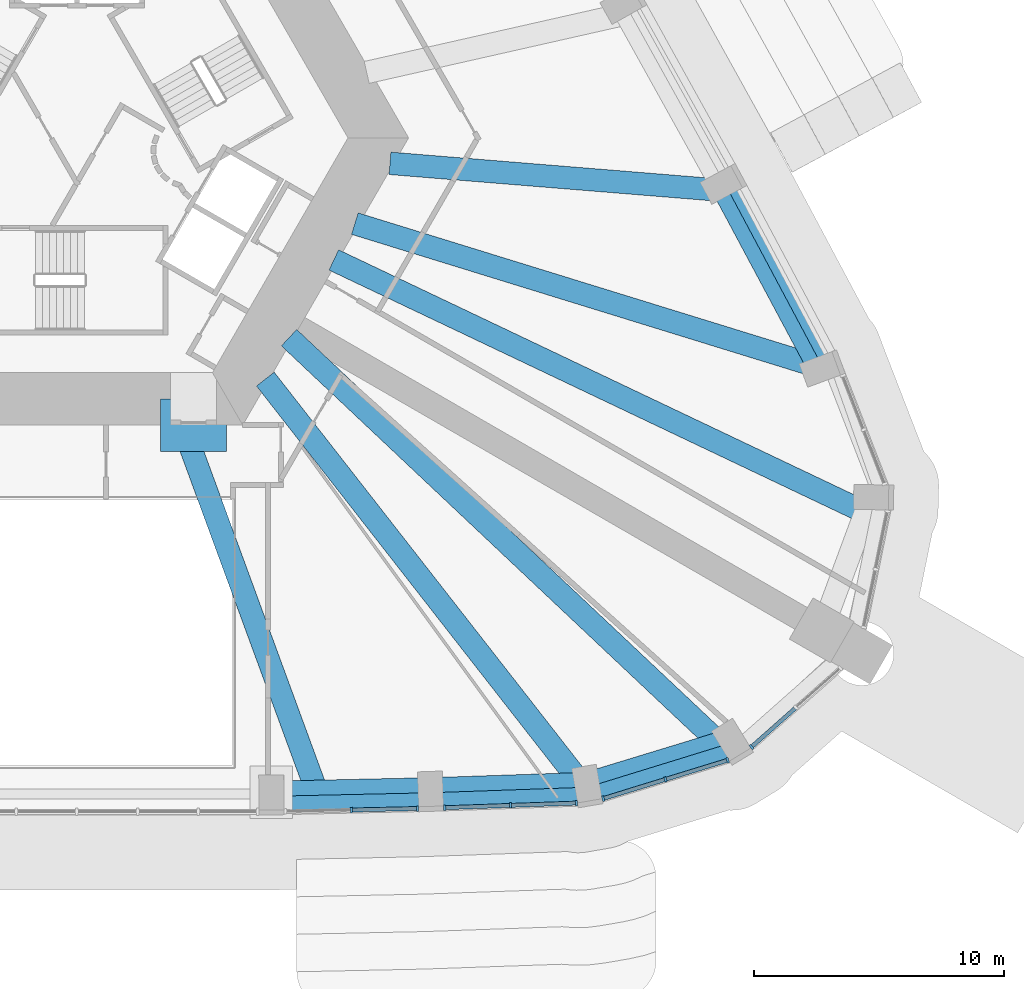
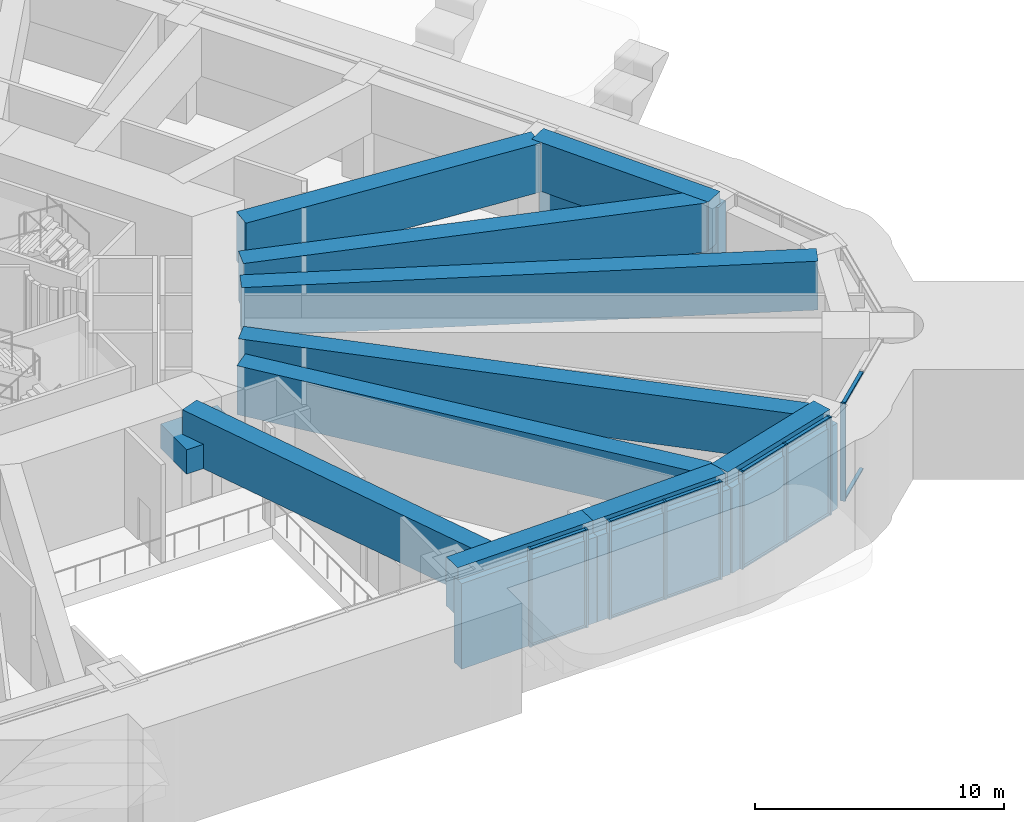
# One storey, part 4 of 21: 25 members, 11 beams, 4 elements without a shape of their own.
"""IFC4 building model written with IfcOpenShell, lengths in metres."""

from ifc_helpers import new_model, si_unit, direction, frame, origin, origin_2d, place, context, subcontext, project, spatial, rectangle, extrude, material, material_profile, profile_set, type_object, element, aggregate, save


model = new_model("IFC4")

# Units and contexts
model_context = context("Model", 3, precision=1e-05, world=origin(), true_north=direction((0.0, 1.0)))
body_context = subcontext(model_context, "Body", "Model", "MODEL_VIEW")
ifc_project = project(units=[si_unit("LENGTHUNIT", "METRE"), si_unit("AREAUNIT", "SQUARE_METRE"), si_unit("VOLUMEUNIT", "CUBIC_METRE"), si_unit("PLANEANGLEUNIT", "RADIAN"), si_unit("MASSUNIT", "GRAM", prefix="KILO")], contexts=[model_context])

# Site, building, storey
site_placement = place(None, origin())
site = spatial("IfcSite", under=ifc_project, at=site_placement, CompositionType="ELEMENT")
building_placement = place(site_placement, origin())
building = spatial("IfcBuilding", under=site, at=building_placement, Name="Entoto Arch Interchange Tower", CompositionType="ELEMENT")
storey_placement = place(building_placement, frame((0.0, 0.0, 236.0)))
storey = spatial("IfcBuildingStorey", under=building, at=storey_placement, Name="L53", CompositionType="ELEMENT", Elevation=236.0)

# Members
ifc_material_1 = material(Name="Concrete C50/60", Category="concrete")
ifc_material_profile_1 = material_profile(ifc_material_1, rectangle(XDim=0.60009765625, YDim=4.199951171875, at=origin_2d()))
ifc_profile_set_1 = profile_set([ifc_material_profile_1], Name="Concrete C50/60")
member_type_1 = type_object("IfcMemberType", Name="Belt member RC 600x4200 C50/60", PredefinedType="USERDEFINED", material=ifc_profile_set_1)
member_1_placement = place(storey_placement, frame((7.794921875, -24.160888671875, 2.10009765625), z_axis=(0.999752724231, 0.022237139956, 0.0), x_axis=(-0.022237139956, 0.999752724231, 0.0)))
element("IfcMember", 1, at=member_1_placement, inside=storey, type_object=member_type_1, Name="Belt beam 04 L53", ObjectType="BELT BEAM", PredefinedType="USERDEFINED", context=body_context, shape_type="SweptSolid", body=[
    extrude(rectangle(XDim=0.60009765625, YDim=4.199951171875, at=origin_2d()), origin(), (0.0, 0.0, 1.0), 6.378662109375),
])
member_2_placement = place(storey_placement, frame((14.172119140625, -24.01904296875, 2.10009765625), z_axis=(0.999377615864, 0.035275783614, 0.0), x_axis=(-0.035275783614, 0.999377615864, 0.0)))
element("IfcMember", 2, at=member_2_placement, inside=storey, type_object=member_type_1, Name="Belt beam 05 L53", ObjectType="BELT BEAM", PredefinedType="USERDEFINED", context=body_context, shape_type="SweptSolid", body=[
    extrude(rectangle(XDim=0.60009765625, YDim=4.199951171875, at=origin_2d()), origin(), (0.0, 0.0, 1.0), 6.32568359375),
])
member_3_placement = place(storey_placement, frame((20.493896484375, -23.7958984375, 2.10009765625), z_axis=(0.955623520999, 0.294590709481, 0.0), x_axis=(-0.294590709481, 0.955623520999, 0.0)))
element("IfcMember", 3, at=member_3_placement, inside=storey, type_object=member_type_1, Name="Belt beam 06 L53", ObjectType="BELT BEAM", PredefinedType="USERDEFINED", context=body_context, shape_type="SweptSolid", body=[
    extrude(rectangle(XDim=0.60009765625, YDim=4.199951171875, at=origin_2d()), origin(), (0.0, 0.0, 1.0), 6.218017578125),
])
member_4_placement = place(storey_placement, frame((30.180908203125, -6.64599609375, 2.10009765625), z_axis=(-0.47058524095, 0.882354538153, 0.0), x_axis=(-0.882354538153, -0.47058524095, 0.0)))
element("IfcMember", 4, at=member_4_placement, inside=storey, type_object=member_type_1, Name="Belt beam 10 L53", ObjectType="BELT BEAM", PredefinedType="USERDEFINED", context=body_context, shape_type="SweptSolid", body=[
    extrude(rectangle(XDim=0.60009765625, YDim=4.199951171875, at=origin_2d()), origin(), (0.0, 0.0, 1.0), 8.463623046875),
])

# Beam
ifc_material_profile_2 = material_profile(ifc_material_1, rectangle(XDim=2.10009765625, YDim=1.199951171875, at=origin_2d()))
ifc_profile_set_2 = profile_set([ifc_material_profile_2], Name="Concrete C50/60")
beam_type_1 = type_object("IfcBeamType", Name="Coupling beam RC 2100x1200 C50/60", PredefinedType="BEAM", material=ifc_profile_set_2)
beam_1_placement = place(storey_placement, frame((3.35009765625, -9.0, 3.0), z_axis=(1.0, 0.0, 0.0), x_axis=(0.0, 1.0, 0.0)))
element("IfcBeam", 5, at=beam_1_placement, inside=storey, type_object=beam_type_1, Name="Coupling beam S L53", PredefinedType="BEAM", context=body_context, shape_type="SweptSolid", body=[
    extrude(rectangle(XDim=2.10009765625, YDim=1.199951171875, at=origin_2d()), origin(), (0.0, 0.0, 1.0), 2.6298828125),
])

# Curtain wall, members
ifc_material_2 = material(Name="Aluminium, anodised", Category="aluminium")
curtain_wall_type = type_object("IfcCurtainWallType", Name="CURTAIN WALL SKY LOBBY", PredefinedType="NOTDEFINED", material=ifc_material_2)
curtain_wall_1_placement = place(storey_placement, origin())
curtain_wall_1 = element("IfcCurtainWall", 6, at=curtain_wall_1_placement, inside=storey, type_object=curtain_wall_type, Name="Sky Lobby glazing S-04 L53", PredefinedType="NOTDEFINED")
ifc_material_profile_3 = material_profile(ifc_material_2, rectangle(XDim=0.219970703125, YDim=0.090087890625, at=origin_2d()))
ifc_profile_set_3 = profile_set([ifc_material_profile_3], Name="Aluminium, anodised")
member_type_2 = type_object("IfcMemberType", Name="MULLION SKY LOBBY 90x220", PredefinedType="MULLION", material=ifc_profile_set_3)
member_5_placement = place(storey_placement, frame((10.989501953125, -24.409912109375, 0.0), z_axis=(0.0, 0.0, 1.0), x_axis=(-0.022278591676, 0.999751801375, 0.0)))
member_5 = element("IfcMember", 7, at=member_5_placement, type_object=member_type_2, Name="CWS mullion 2", PredefinedType="MULLION", context=body_context, shape_type="SweptSolid", body=[
    extrude(rectangle(XDim=0.219970703125, YDim=0.090087890625, at=origin_2d()), origin(), (0.0, 0.0, 1.0), 4.800048828125),
])
member_6_placement = place(storey_placement, frame((13.636962890625, -24.35107421875, 0.0), z_axis=(0.0, 0.0, 1.0), x_axis=(-0.022278591676, 0.999751801375, 0.0)))
member_6 = element("IfcMember", 8, at=member_6_placement, type_object=member_type_2, Name="CWS mullion 3", PredefinedType="MULLION", context=body_context, shape_type="SweptSolid", body=[
    extrude(rectangle(XDim=0.219970703125, YDim=0.090087890625, at=origin_2d()), origin(), (0.0, 0.0, 1.0), 4.800048828125),
])

curtain_wall_2_placement = place(storey_placement, origin())
curtain_wall_2 = element("IfcCurtainWall", 9, at=curtain_wall_2_placement, inside=storey, type_object=curtain_wall_type, Name="Sky Lobby glazing S-05 L53", PredefinedType="NOTDEFINED")
member_7_placement = place(storey_placement, frame((14.723876953125, -24.3193359375, 0.0), z_axis=(0.0, 0.0, 1.0), x_axis=(-0.035206492311, 0.999380059286, 0.0)))
member_7 = element("IfcMember", 10, at=member_7_placement, type_object=member_type_2, Name="CWS mullion 1", PredefinedType="MULLION", context=body_context, shape_type="SweptSolid", body=[
    extrude(rectangle(XDim=0.219970703125, YDim=0.090087890625, at=origin_2d()), origin(), (0.0, 0.0, 1.0), 4.800048828125),
])
member_8_placement = place(storey_placement, frame((17.361572265625, -24.2265625, 0.0), z_axis=(0.0, 0.0, 1.0), x_axis=(-0.035206492311, 0.999380059286, 0.0)))
member_8 = element("IfcMember", 11, at=member_8_placement, type_object=member_type_2, Name="CWS mullion 2", PredefinedType="MULLION", context=body_context, shape_type="SweptSolid", body=[
    extrude(rectangle(XDim=0.219970703125, YDim=0.090087890625, at=origin_2d()), origin(), (0.0, 0.0, 1.0), 4.800048828125),
])
member_9_placement = place(storey_placement, frame((19.9990234375, -24.133544921875, 0.0), z_axis=(0.0, 0.0, 1.0), x_axis=(-0.035206492311, 0.999380059286, 0.0)))
member_9 = element("IfcMember", 12, at=member_9_placement, type_object=member_type_2, Name="CWS mullion 3", PredefinedType="MULLION", context=body_context, shape_type="SweptSolid", body=[
    extrude(rectangle(XDim=0.219970703125, YDim=0.090087890625, at=origin_2d()), origin(), (0.0, 0.0, 1.0), 4.800048828125),
])

curtain_wall_3_placement = place(storey_placement, origin())
curtain_wall_3 = element("IfcCurtainWall", 13, at=curtain_wall_3_placement, inside=storey, type_object=curtain_wall_type, Name="Sky Lobby glazing SE-01 L53", PredefinedType="NOTDEFINED")
member_10_placement = place(storey_placement, frame((21.071044921875, -23.95263671875, 0.0), z_axis=(0.0, 0.0, 1.0), x_axis=(-0.29443021641, 0.95567298155, 0.0)))
member_10 = element("IfcMember", 14, at=member_10_placement, type_object=member_type_2, Name="CWS mullion 1", PredefinedType="MULLION", context=body_context, shape_type="SweptSolid", body=[
    extrude(rectangle(XDim=0.219970703125, YDim=0.090087890625, at=origin_2d()), origin(), (0.0, 0.0, 1.0), 4.800048828125),
])
member_11_placement = place(storey_placement, frame((23.56298828125, -23.18505859375, 0.0), z_axis=(0.0, 0.0, 1.0), x_axis=(-0.29443021641, 0.95567298155, 0.0)))
member_11 = element("IfcMember", 15, at=member_11_placement, type_object=member_type_2, Name="CWS mullion 2", PredefinedType="MULLION", context=body_context, shape_type="SweptSolid", body=[
    extrude(rectangle(XDim=0.219970703125, YDim=0.090087890625, at=origin_2d()), origin(), (0.0, 0.0, 1.0), 4.800048828125),
])
member_12_placement = place(storey_placement, frame((26.054931640625, -22.417236328125, 0.0), z_axis=(0.0, 0.0, 1.0), x_axis=(-0.29443021641, 0.95567298155, 0.0)))
member_12 = element("IfcMember", 16, at=member_12_placement, type_object=member_type_2, Name="CWS mullion 3", PredefinedType="MULLION", context=body_context, shape_type="SweptSolid", body=[
    extrude(rectangle(XDim=0.219970703125, YDim=0.090087890625, at=origin_2d()), origin(), (0.0, 0.0, 1.0), 4.800048828125),
])

# Curtain wall, member
curtain_wall_4_placement = place(storey_placement, origin())
curtain_wall_4 = element("IfcCurtainWall", 17, at=curtain_wall_4_placement, inside=storey, type_object=curtain_wall_type, Name="Sky Lobby glazing SE-02 L53", PredefinedType="NOTDEFINED")
member_13_placement = place(storey_placement, frame((27.007568359375, -21.88525390625, 0.0), z_axis=(0.0, 0.0, 1.0), x_axis=(-0.663170811675, 0.748468085187, 0.0)))
member_13 = element("IfcMember", 18, at=member_13_placement, type_object=member_type_2, Name="CWS mullion 1", PredefinedType="MULLION", context=body_context, shape_type="SweptSolid", body=[
    extrude(rectangle(XDim=0.219970703125, YDim=0.090087890625, at=origin_2d()), origin(), (0.0, 0.0, 1.0), 4.800048828125),
])

# Member
ifc_material_profile_4 = material_profile(ifc_material_2, rectangle(XDim=0.159912109375, YDim=0.070068359375, at=origin_2d()))
ifc_profile_set_4 = profile_set([ifc_material_profile_4], Name="Aluminium, anodised")
member_type_3 = type_object("IfcMemberType", Name="TRANSOM SKY LOBBY 70x160", PredefinedType="USERDEFINED", material=ifc_profile_set_4)
member_14_placement = place(storey_placement, frame((11.034423828125, -24.408935546875, 0.034912109375), z_axis=(0.999752753714, 0.022235814396, 0.0), x_axis=(-0.022235814396, 0.999752753714, 0.0)))
member_14 = element("IfcMember", 19, at=member_14_placement, type_object=member_type_3, Name="CWS transom 2.1", ObjectType="TRANSOM", PredefinedType="USERDEFINED", context=body_context, shape_type="SweptSolid", body=[
    extrude(rectangle(XDim=0.159912109375, YDim=0.070068359375, at=origin_2d()), origin(), (0.0, 0.0, 1.0), 2.558349609375),
])

member_15_placement = place(storey_placement, frame((11.034423828125, -24.408935546875, 4.764892578125), z_axis=(0.999752753714, 0.022235814396, 0.0), x_axis=(-0.022235814396, 0.999752753714, 0.0)))
member_15 = element("IfcMember", 20, at=member_15_placement, type_object=member_type_3, Name="CWS transom 2.2", ObjectType="TRANSOM", PredefinedType="USERDEFINED", context=body_context, shape_type="SweptSolid", body=[
    extrude(rectangle(XDim=0.159912109375, YDim=0.070068359375, at=origin_2d()), origin(), (0.0, 0.0, 1.0), 2.558349609375),
])

aggregate(curtain_wall_1, [member_5, member_6, member_14, member_15])

member_16_placement = place(storey_placement, frame((14.76904296875, -24.31787109375, 0.034912109375), z_axis=(0.999378617475, 0.035247396131, 0.0), x_axis=(-0.035247396131, 0.999378617475, 0.0)))
member_16 = element("IfcMember", 21, at=member_16_placement, type_object=member_type_3, Name="CWS transom 1.1", ObjectType="TRANSOM", PredefinedType="USERDEFINED", context=body_context, shape_type="SweptSolid", body=[
    extrude(rectangle(XDim=0.159912109375, YDim=0.070068359375, at=origin_2d()), origin(), (0.0, 0.0, 1.0), 2.548828125),
])

member_17_placement = place(storey_placement, frame((14.76904296875, -24.31787109375, 4.764892578125), z_axis=(0.999378617475, 0.035247396131, 0.0), x_axis=(-0.035247396131, 0.999378617475, 0.0)))
member_17 = element("IfcMember", 22, at=member_17_placement, type_object=member_type_3, Name="CWS transom 1.2", ObjectType="TRANSOM", PredefinedType="USERDEFINED", context=body_context, shape_type="SweptSolid", body=[
    extrude(rectangle(XDim=0.159912109375, YDim=0.070068359375, at=origin_2d()), origin(), (0.0, 0.0, 1.0), 2.548828125),
])

member_18_placement = place(storey_placement, frame((17.406494140625, -24.224853515625, 0.034912109375), z_axis=(0.999382105174, 0.0351483692, 0.0), x_axis=(-0.0351483692, 0.999382105174, 0.0)))
member_18 = element("IfcMember", 23, at=member_18_placement, type_object=member_type_3, Name="CWS transom 2.1", ObjectType="TRANSOM", PredefinedType="USERDEFINED", context=body_context, shape_type="SweptSolid", body=[
    extrude(rectangle(XDim=0.159912109375, YDim=0.070068359375, at=origin_2d()), origin(), (0.0, 0.0, 1.0), 2.549072265625),
])

member_19_placement = place(storey_placement, frame((17.406494140625, -24.224853515625, 4.764892578125), z_axis=(0.999382105174, 0.0351483692, 0.0), x_axis=(-0.0351483692, 0.999382105174, 0.0)))
member_19 = element("IfcMember", 24, at=member_19_placement, type_object=member_type_3, Name="CWS transom 2.2", ObjectType="TRANSOM", PredefinedType="USERDEFINED", context=body_context, shape_type="SweptSolid", body=[
    extrude(rectangle(XDim=0.159912109375, YDim=0.070068359375, at=origin_2d()), origin(), (0.0, 0.0, 1.0), 2.549072265625),
])

aggregate(curtain_wall_2, [member_7, member_8, member_9, member_16, member_17, member_18, member_19])

member_20_placement = place(storey_placement, frame((21.114013671875, -23.939453125, 0.034912109375), z_axis=(0.955678309515, 0.29441292214, 0.0), x_axis=(-0.29441292214, 0.955678309515, 0.0)))
member_20 = element("IfcMember", 25, at=member_20_placement, type_object=member_type_3, Name="CWS transom 1.1", ObjectType="TRANSOM", PredefinedType="USERDEFINED", context=body_context, shape_type="SweptSolid", body=[
    extrude(rectangle(XDim=0.159912109375, YDim=0.070068359375, at=origin_2d()), origin(), (0.0, 0.0, 1.0), 2.517578125),
])

member_21_placement = place(storey_placement, frame((21.114013671875, -23.939453125, 4.764892578125), z_axis=(0.955678309515, 0.29441292214, 0.0), x_axis=(-0.29441292214, 0.955678309515, 0.0)))
member_21 = element("IfcMember", 26, at=member_21_placement, type_object=member_type_3, Name="CWS transom 1.2", ObjectType="TRANSOM", PredefinedType="USERDEFINED", context=body_context, shape_type="SweptSolid", body=[
    extrude(rectangle(XDim=0.159912109375, YDim=0.070068359375, at=origin_2d()), origin(), (0.0, 0.0, 1.0), 2.517578125),
])

member_22_placement = place(storey_placement, frame((23.60595703125, -23.171630859375, 0.034912109375), z_axis=(0.955678309515, 0.29441292214, 0.0), x_axis=(-0.29441292214, 0.955678309515, 0.0)))
member_22 = element("IfcMember", 27, at=member_22_placement, type_object=member_type_3, Name="CWS transom 2.1", ObjectType="TRANSOM", PredefinedType="USERDEFINED", context=body_context, shape_type="SweptSolid", body=[
    extrude(rectangle(XDim=0.159912109375, YDim=0.070068359375, at=origin_2d()), origin(), (0.0, 0.0, 1.0), 2.517578125),
])

member_23_placement = place(storey_placement, frame((23.60595703125, -23.171630859375, 4.764892578125), z_axis=(0.955678309515, 0.29441292214, 0.0), x_axis=(-0.29441292214, 0.955678309515, 0.0)))
member_23 = element("IfcMember", 28, at=member_23_placement, type_object=member_type_3, Name="CWS transom 2.2", ObjectType="TRANSOM", PredefinedType="USERDEFINED", context=body_context, shape_type="SweptSolid", body=[
    extrude(rectangle(XDim=0.159912109375, YDim=0.070068359375, at=origin_2d()), origin(), (0.0, 0.0, 1.0), 2.517578125),
])

aggregate(curtain_wall_3, [member_10, member_11, member_12, member_20, member_21, member_22, member_23])

member_24_placement = place(storey_placement, frame((27.041259765625, -21.855224609375, 0.034912109375), z_axis=(0.74848669237, 0.663149810635, 0.0), x_axis=(-0.663149810635, 0.74848669237, 0.0)))
member_24 = element("IfcMember", 29, at=member_24_placement, type_object=member_type_3, Name="CWS transom 1.1", ObjectType="TRANSOM", PredefinedType="USERDEFINED", context=body_context, shape_type="SweptSolid", body=[
    extrude(rectangle(XDim=0.159912109375, YDim=0.070068359375, at=origin_2d()), origin(), (0.0, 0.0, 1.0), 2.285888671875),
])

member_25_placement = place(storey_placement, frame((27.041259765625, -21.855224609375, 4.764892578125), z_axis=(0.74848669237, 0.663149810635, 0.0), x_axis=(-0.663149810635, 0.74848669237, 0.0)))
member_25 = element("IfcMember", 30, at=member_25_placement, type_object=member_type_3, Name="CWS transom 1.2", ObjectType="TRANSOM", PredefinedType="USERDEFINED", context=body_context, shape_type="SweptSolid", body=[
    extrude(rectangle(XDim=0.159912109375, YDim=0.070068359375, at=origin_2d()), origin(), (0.0, 0.0, 1.0), 2.285888671875),
])

aggregate(curtain_wall_4, [member_13, member_24, member_25])

# Beams
ifc_material_profile_5 = material_profile(ifc_material_1, rectangle(XDim=0.89990234375, YDim=2.39990234375, at=origin_2d()))
ifc_profile_set_5 = profile_set([ifc_material_profile_5], Name="Concrete C50/60")
beam_type_2 = type_object("IfcBeamType", Name="Transfer beam RC 900x2400 C50/60", PredefinedType="BEAM", material=ifc_profile_set_5)
beam_2_placement = place(storey_placement, frame((4.1689453125, -8.85888671875, 3.60009765625), z_axis=(0.344549038598, -0.938768320727, 0.0), x_axis=(0.938768320727, 0.344549038598, 0.0)))
element("IfcBeam", 31, at=beam_2_placement, inside=storey, type_object=beam_type_2, Name="Transfer beam S03 L53", PredefinedType="BEAM", context=body_context, shape_type="SweptSolid", body=[
    extrude(rectangle(XDim=0.89990234375, YDim=2.39990234375, at=origin_2d()), origin(), (0.0, 0.0, 1.0), 15.47265625),
])
beam_3_placement = place(storey_placement, frame((7.7880859375, -23.7060546875, 3.60009765625), z_axis=(0.999754406406, 0.022161382432, 0.0), x_axis=(-0.022161382432, 0.999754406406, 0.0)))
element("IfcBeam", 32, at=beam_3_placement, inside=storey, type_object=beam_type_2, Name="Transfer girder S03 L53", PredefinedType="BEAM", context=body_context, shape_type="SweptSolid", body=[
    extrude(rectangle(XDim=0.89990234375, YDim=2.39990234375, at=origin_2d()), origin(), (0.0, 0.0, 1.0), 6.367431640625),
])
beam_4_placement = place(storey_placement, frame((7.5439453125, -7.156982421875, 3.60009765625), z_axis=(0.615603585932, -0.788055978334, 0.0), x_axis=(0.788055978334, 0.615603585932, 0.0)))
element("IfcBeam", 33, at=beam_4_placement, inside=storey, type_object=beam_type_2, Name="Transfer beam S04 L53", PredefinedType="BEAM", context=body_context, shape_type="SweptSolid", body=[
    extrude(rectangle(XDim=0.89990234375, YDim=2.39990234375, at=origin_2d()), origin(), (0.0, 0.0, 1.0), 20.260009765625),
])
beam_5_placement = place(storey_placement, frame((14.154052734375, -23.56494140625, 3.60009765625), z_axis=(0.999422767876, 0.03397250433, 0.0), x_axis=(-0.03397250433, 0.999422767876, 0.0)))
element("IfcBeam", 34, at=beam_5_placement, inside=storey, type_object=beam_type_2, Name="Transfer girder S04 L53", PredefinedType="BEAM", context=body_context, shape_type="SweptSolid", body=[
    extrude(rectangle(XDim=0.89990234375, YDim=2.39990234375, at=origin_2d()), origin(), (0.0, 0.0, 1.0), 6.2666015625),
])
beam_6_placement = place(storey_placement, frame((8.492919921875, -5.4990234375, 3.60009765625), z_axis=(0.727983201252, -0.685594966941, 0.0), x_axis=(0.685594966941, 0.727983201252, 0.0)))
element("IfcBeam", 35, at=beam_6_placement, inside=storey, type_object=beam_type_2, Name="Transfer beam SE1 L53", PredefinedType="BEAM", context=body_context, shape_type="SweptSolid", body=[
    extrude(rectangle(XDim=0.89990234375, YDim=2.39990234375, at=origin_2d()), origin(), (0.0, 0.0, 1.0), 23.37841796875),
])
beam_7_placement = place(storey_placement, frame((20.4169921875, -23.35205078125, 3.60009765625), z_axis=(0.95657927361, 0.291472285645, 0.0), x_axis=(-0.291472285645, 0.95657927361, 0.0)))
element("IfcBeam", 36, at=beam_7_placement, inside=storey, type_object=beam_type_2, Name="Transfer girder SE1 L53", PredefinedType="BEAM", context=body_context, shape_type="SweptSolid", body=[
    extrude(rectangle(XDim=0.89990234375, YDim=2.39990234375, at=origin_2d()), origin(), (0.0, 0.0, 1.0), 6.034912109375),
])
beam_8_placement = place(storey_placement, frame((10.284912109375, -2.387939453125, 3.60009765625), z_axis=(0.903196039378, -0.429228277786, 0.0), x_axis=(0.429228277786, 0.903196039378, 0.0)))
element("IfcBeam", 37, at=beam_8_placement, inside=storey, type_object=beam_type_2, Name="Transfer beam SE3 L53", PredefinedType="BEAM", context=body_context, shape_type="SweptSolid", body=[
    extrude(rectangle(XDim=0.89990234375, YDim=2.39990234375, at=origin_2d()), origin(), (0.0, 0.0, 1.0), 23.262939453125),
])
beam_9_placement = place(storey_placement, frame((11.126953125, -0.93408203125, 3.60009765625), z_axis=(0.955518834418, -0.294930088448, 0.0), x_axis=(0.294930088448, 0.955518834418, 0.0)))
element("IfcBeam", 38, at=beam_9_placement, inside=storey, type_object=beam_type_2, Name="Transfer beam NE01 L53", PredefinedType="BEAM", context=body_context, shape_type="SweptSolid", body=[
    extrude(rectangle(XDim=0.89990234375, YDim=2.39990234375, at=origin_2d()), origin(), (0.0, 0.0, 1.0), 19.119384765625),
])
beam_10_placement = place(storey_placement, frame((29.741943359375, -6.77197265625, 3.60009765625), z_axis=(-0.471414831034, 0.881911592554, 0.0), x_axis=(-0.881911592554, -0.471414831034, 0.0)))
element("IfcBeam", 39, at=beam_10_placement, inside=storey, type_object=beam_type_2, Name="Transfer girder NE01 L53", PredefinedType="BEAM", context=body_context, shape_type="SweptSolid", body=[
    extrude(rectangle(XDim=0.89990234375, YDim=2.39990234375, at=origin_2d()), origin(), (0.0, 0.0, 1.0), 8.3681640625),
])
beam_11_placement = place(storey_placement, frame((12.533935546875, 1.47998046875, 3.60009765625), z_axis=(0.99670803482, -0.081074615793, 0.0), x_axis=(0.081074615793, 0.99670803482, 0.0)))
element("IfcBeam", 40, at=beam_11_placement, inside=storey, type_object=beam_type_2, Name="Transfer beam NE02 L53", PredefinedType="BEAM", context=body_context, shape_type="SweptSolid", body=[
    extrude(rectangle(XDim=0.89990234375, YDim=2.39990234375, at=origin_2d()), origin(), (0.0, 0.0, 1.0), 13.123291015625),
])

save(model, "model.ifc")
